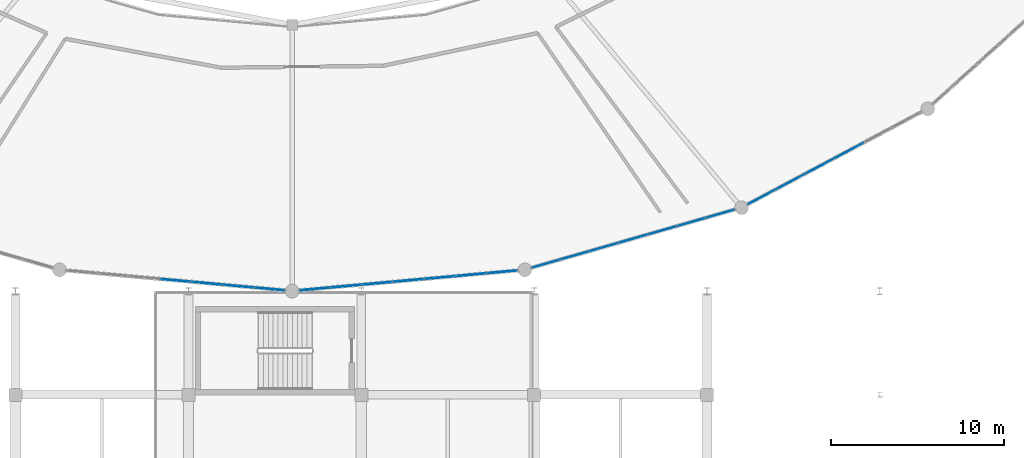
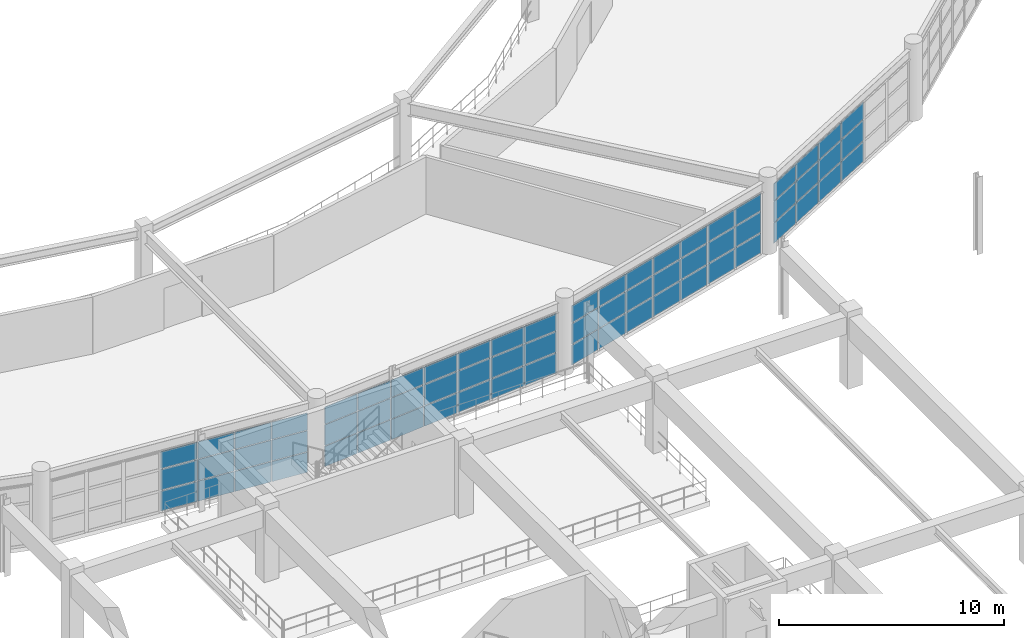
# One storey, part 63 of 100: 66 plates, 4 elements without a shape of their own.
"""IFC4 building model written with IfcOpenShell, lengths in metres."""

from ifc_helpers import new_model, si_unit, direction, frame, origin, origin_2d, place, context, subcontext, project, spatial, rectangle, extrude, material, layer, layer_set, type_object, element, aggregate, save


model = new_model("IFC4")

# Units and contexts
model_context = context("Model", 3, precision=1e-05, world=origin(), true_north=direction((0.0, 1.0)))
body_context = subcontext(model_context, "Body", "Model", "MODEL_VIEW")
ifc_project = project(units=[si_unit("LENGTHUNIT", "METRE"), si_unit("AREAUNIT", "SQUARE_METRE"), si_unit("VOLUMEUNIT", "CUBIC_METRE"), si_unit("PLANEANGLEUNIT", "RADIAN"), si_unit("MASSUNIT", "GRAM", prefix="KILO")], contexts=[model_context])

# Site, building, storey
site_placement = place(None, origin())
site = spatial("IfcSite", under=ifc_project, at=site_placement, CompositionType="ELEMENT")
building_placement = place(site_placement, origin())
building = spatial("IfcBuilding", under=site, at=building_placement, Name="Kivolera Central Railway Station", CompositionType="ELEMENT")
storey_placement = place(building_placement, frame((0.0, 0.0, 5.39990234375)))
storey = spatial("IfcBuildingStorey", under=building, at=storey_placement, Name="L01", CompositionType="ELEMENT", Elevation=5.39990234375)

# Curtain wall, plates
ifc_material_1 = material(Name="Anodised aluminium", Category="aluminium")
ifc_layer_1 = layer(ifc_material_1, 0.179931640625, Name="Anodised aluminium")
ifc_layer_set_1 = layer_set([ifc_layer_1], Name="Anodised aluminium")
curtain_wall_type_1 = type_object("IfcCurtainWallType", Name="CW-SYS-10", PredefinedType="NOTDEFINED", material=ifc_layer_set_1)
curtain_wall_1_placement = place(storey_placement, origin())
curtain_wall_1 = element("IfcCurtainWall", 1, at=curtain_wall_1_placement, inside=storey, type_object=curtain_wall_type_1, Name="L01 Curtain Wall CW-L01-OVL-19", PredefinedType="NOTDEFINED")
ifc_material_2 = material(Name="Double low-E laminated glass", Category="glass")
ifc_layer_2 = layer(ifc_material_2, 0.02587890625, Name="Double low-E laminated glass")
ifc_layer_set_2 = layer_set([ifc_layer_2], Name="Double low-E laminated glass")
plate_type_1 = type_object("IfcPlateType", Name="CWP-GLZ-1", PredefinedType="CURTAIN_PANEL", material=ifc_layer_set_2)
plate_1_placement = place(storey_placement, frame((88.75732421875, 58.467041015625, 0.05810546875), z_axis=(0.0, 0.0, 1.0), x_axis=(-0.961246112288, -0.275691696668, 0.0)))
plate_1 = element("IfcPlate", 2, at=plate_1_placement, type_object=plate_type_1, Name="CW-10 panel 1.1", PredefinedType="CURTAIN_PANEL", context=body_context, shape_type="SweptSolid", body=[
    extrude(rectangle(XDim=1.66845703125, YDim=0.02587890625, at=origin_2d()), origin(), (0.0, 0.0, 1.0), 1.087890625),
])
plate_2_placement = place(storey_placement, frame((88.75732421875, 58.467041015625, 1.192138671875), z_axis=(0.0, 0.0, 1.0), x_axis=(-0.961246112288, -0.275691696668, 0.0)))
plate_2 = element("IfcPlate", 3, at=plate_2_placement, type_object=plate_type_1, Name="CW-10 panel 1.2", PredefinedType="CURTAIN_PANEL", context=body_context, shape_type="SweptSolid", body=[
    extrude(rectangle(XDim=1.66845703125, YDim=0.02587890625, at=origin_2d()), origin(), (0.0, 0.0, 1.0), 1.123046875),
])
plate_3_placement = place(storey_placement, frame((88.75732421875, 58.467041015625, 2.361083984375), z_axis=(0.0, 0.0, 1.0), x_axis=(-0.961246112288, -0.275691696668, 0.0)))
plate_3 = element("IfcPlate", 4, at=plate_3_placement, type_object=plate_type_1, Name="CW-10 panel 1.3", PredefinedType="CURTAIN_PANEL", context=body_context, shape_type="SweptSolid", body=[
    extrude(rectangle(XDim=1.66845703125, YDim=0.02587890625, at=origin_2d()), origin(), (0.0, 0.0, 1.0), 0.9208984375),
])
plate_4_placement = place(storey_placement, frame((87.092529296875, 57.989501953125, 0.05810546875), z_axis=(0.0, 0.0, 1.0), x_axis=(-0.961246112288, -0.275691696668, 0.0)))
plate_4 = element("IfcPlate", 5, at=plate_4_placement, type_object=plate_type_1, Name="CW-10 panel 2.1", PredefinedType="CURTAIN_PANEL", context=body_context, shape_type="SweptSolid", body=[
    extrude(rectangle(XDim=1.703369140625, YDim=0.02587890625, at=origin_2d()), origin(), (0.0, 0.0, 1.0), 1.087890625),
])
plate_5_placement = place(storey_placement, frame((87.092529296875, 57.989501953125, 1.192138671875), z_axis=(0.0, 0.0, 1.0), x_axis=(-0.961246112288, -0.275691696668, 0.0)))
plate_5 = element("IfcPlate", 6, at=plate_5_placement, type_object=plate_type_1, Name="CW-10 panel 2.2", PredefinedType="CURTAIN_PANEL", context=body_context, shape_type="SweptSolid", body=[
    extrude(rectangle(XDim=1.703369140625, YDim=0.02587890625, at=origin_2d()), origin(), (0.0, 0.0, 1.0), 1.123046875),
])
plate_6_placement = place(storey_placement, frame((87.092529296875, 57.989501953125, 2.361083984375), z_axis=(0.0, 0.0, 1.0), x_axis=(-0.961246112288, -0.275691696668, 0.0)))
plate_6 = element("IfcPlate", 7, at=plate_6_placement, type_object=plate_type_1, Name="CW-10 panel 2.3", PredefinedType="CURTAIN_PANEL", context=body_context, shape_type="SweptSolid", body=[
    extrude(rectangle(XDim=1.703369140625, YDim=0.02587890625, at=origin_2d()), origin(), (0.0, 0.0, 1.0), 0.9208984375),
])
plate_7_placement = place(storey_placement, frame((85.4111328125, 57.50732421875, 0.05810546875), z_axis=(0.0, 0.0, 1.0), x_axis=(-0.961246112288, -0.275691696668, 0.0)))
plate_7 = element("IfcPlate", 8, at=plate_7_placement, type_object=plate_type_1, Name="CW-10 panel 3.1", PredefinedType="CURTAIN_PANEL", context=body_context, shape_type="SweptSolid", body=[
    extrude(rectangle(XDim=1.703369140625, YDim=0.02587890625, at=origin_2d()), origin(), (0.0, 0.0, 1.0), 1.087890625),
])
plate_8_placement = place(storey_placement, frame((85.4111328125, 57.50732421875, 1.192138671875), z_axis=(0.0, 0.0, 1.0), x_axis=(-0.961246112288, -0.275691696668, 0.0)))
plate_8 = element("IfcPlate", 9, at=plate_8_placement, type_object=plate_type_1, Name="CW-10 panel 3.2", PredefinedType="CURTAIN_PANEL", context=body_context, shape_type="SweptSolid", body=[
    extrude(rectangle(XDim=1.703369140625, YDim=0.02587890625, at=origin_2d()), origin(), (0.0, 0.0, 1.0), 1.123046875),
])
plate_9_placement = place(storey_placement, frame((85.4111328125, 57.50732421875, 2.361083984375), z_axis=(0.0, 0.0, 1.0), x_axis=(-0.961246112288, -0.275691696668, 0.0)))
plate_9 = element("IfcPlate", 10, at=plate_9_placement, type_object=plate_type_1, Name="CW-10 panel 3.3", PredefinedType="CURTAIN_PANEL", context=body_context, shape_type="SweptSolid", body=[
    extrude(rectangle(XDim=1.703369140625, YDim=0.02587890625, at=origin_2d()), origin(), (0.0, 0.0, 1.0), 0.9208984375),
])
plate_10_placement = place(storey_placement, frame((83.7294921875, 57.02490234375, 0.05810546875), z_axis=(0.0, 0.0, 1.0), x_axis=(-0.961246112288, -0.275691696668, 0.0)))
plate_10 = element("IfcPlate", 11, at=plate_10_placement, type_object=plate_type_1, Name="CW-10 panel 4.1", PredefinedType="CURTAIN_PANEL", context=body_context, shape_type="SweptSolid", body=[
    extrude(rectangle(XDim=1.703369140625, YDim=0.02587890625, at=origin_2d()), origin(), (0.0, 0.0, 1.0), 1.087890625),
])
plate_11_placement = place(storey_placement, frame((83.7294921875, 57.02490234375, 1.192138671875), z_axis=(0.0, 0.0, 1.0), x_axis=(-0.961246112288, -0.275691696668, 0.0)))
plate_11 = element("IfcPlate", 12, at=plate_11_placement, type_object=plate_type_1, Name="CW-10 panel 4.2", PredefinedType="CURTAIN_PANEL", context=body_context, shape_type="SweptSolid", body=[
    extrude(rectangle(XDim=1.703369140625, YDim=0.02587890625, at=origin_2d()), origin(), (0.0, 0.0, 1.0), 1.123046875),
])
plate_12_placement = place(storey_placement, frame((83.7294921875, 57.02490234375, 2.361083984375), z_axis=(0.0, 0.0, 1.0), x_axis=(-0.961246112288, -0.275691696668, 0.0)))
plate_12 = element("IfcPlate", 13, at=plate_12_placement, type_object=plate_type_1, Name="CW-10 panel 4.3", PredefinedType="CURTAIN_PANEL", context=body_context, shape_type="SweptSolid", body=[
    extrude(rectangle(XDim=1.703369140625, YDim=0.02587890625, at=origin_2d()), origin(), (0.0, 0.0, 1.0), 0.9208984375),
])
plate_13_placement = place(storey_placement, frame((82.0478515625, 56.542724609375, 0.05810546875), z_axis=(0.0, 0.0, 1.0), x_axis=(-0.961246112288, -0.275691696668, 0.0)))
plate_13 = element("IfcPlate", 14, at=plate_13_placement, type_object=plate_type_1, Name="CW-10 panel 5.1", PredefinedType="CURTAIN_PANEL", context=body_context, shape_type="SweptSolid", body=[
    extrude(rectangle(XDim=1.703369140625, YDim=0.02587890625, at=origin_2d()), origin(), (0.0, 0.0, 1.0), 1.087890625),
])
plate_14_placement = place(storey_placement, frame((82.0478515625, 56.542724609375, 1.192138671875), z_axis=(0.0, 0.0, 1.0), x_axis=(-0.961246112288, -0.275691696668, 0.0)))
plate_14 = element("IfcPlate", 15, at=plate_14_placement, type_object=plate_type_1, Name="CW-10 panel 5.2", PredefinedType="CURTAIN_PANEL", context=body_context, shape_type="SweptSolid", body=[
    extrude(rectangle(XDim=1.703369140625, YDim=0.02587890625, at=origin_2d()), origin(), (0.0, 0.0, 1.0), 1.123046875),
])
plate_15_placement = place(storey_placement, frame((82.0478515625, 56.542724609375, 2.361083984375), z_axis=(0.0, 0.0, 1.0), x_axis=(-0.961246112288, -0.275691696668, 0.0)))
plate_15 = element("IfcPlate", 16, at=plate_15_placement, type_object=plate_type_1, Name="CW-10 panel 5.3", PredefinedType="CURTAIN_PANEL", context=body_context, shape_type="SweptSolid", body=[
    extrude(rectangle(XDim=1.703369140625, YDim=0.02587890625, at=origin_2d()), origin(), (0.0, 0.0, 1.0), 0.9208984375),
])
plate_16_placement = place(storey_placement, frame((80.366455078125, 56.060546875, 0.05810546875), z_axis=(0.0, 0.0, 1.0), x_axis=(-0.961246112288, -0.275691696668, 0.0)))
plate_16 = element("IfcPlate", 17, at=plate_16_placement, type_object=plate_type_1, Name="CW-10 panel 6.1", PredefinedType="CURTAIN_PANEL", context=body_context, shape_type="SweptSolid", body=[
    extrude(rectangle(XDim=1.703369140625, YDim=0.02587890625, at=origin_2d()), origin(), (0.0, 0.0, 1.0), 1.087890625),
])
plate_17_placement = place(storey_placement, frame((80.366455078125, 56.060546875, 1.192138671875), z_axis=(0.0, 0.0, 1.0), x_axis=(-0.961246112288, -0.275691696668, 0.0)))
plate_17 = element("IfcPlate", 18, at=plate_17_placement, type_object=plate_type_1, Name="CW-10 panel 6.2", PredefinedType="CURTAIN_PANEL", context=body_context, shape_type="SweptSolid", body=[
    extrude(rectangle(XDim=1.703369140625, YDim=0.02587890625, at=origin_2d()), origin(), (0.0, 0.0, 1.0), 1.123046875),
])
plate_18_placement = place(storey_placement, frame((80.366455078125, 56.060546875, 2.361083984375), z_axis=(0.0, 0.0, 1.0), x_axis=(-0.961246112288, -0.275691696668, 0.0)))
plate_18 = element("IfcPlate", 19, at=plate_18_placement, type_object=plate_type_1, Name="CW-10 panel 6.3", PredefinedType="CURTAIN_PANEL", context=body_context, shape_type="SweptSolid", body=[
    extrude(rectangle(XDim=1.703369140625, YDim=0.02587890625, at=origin_2d()), origin(), (0.0, 0.0, 1.0), 0.9208984375),
])
plate_19_placement = place(storey_placement, frame((78.70166015625, 55.5830078125, 0.05810546875), z_axis=(0.0, 0.0, 1.0), x_axis=(-0.961246112288, -0.275691696668, 0.0)))
plate_19 = element("IfcPlate", 20, at=plate_19_placement, type_object=plate_type_1, Name="CW-10 panel 7.1", PredefinedType="CURTAIN_PANEL", context=body_context, shape_type="SweptSolid", body=[
    extrude(rectangle(XDim=1.66845703125, YDim=0.02587890625, at=origin_2d()), origin(), (0.0, 0.0, 1.0), 1.087890625),
])
plate_20_placement = place(storey_placement, frame((78.70166015625, 55.5830078125, 1.192138671875), z_axis=(0.0, 0.0, 1.0), x_axis=(-0.961246112288, -0.275691696668, 0.0)))
plate_20 = element("IfcPlate", 21, at=plate_20_placement, type_object=plate_type_1, Name="CW-10 panel 7.2", PredefinedType="CURTAIN_PANEL", context=body_context, shape_type="SweptSolid", body=[
    extrude(rectangle(XDim=1.66845703125, YDim=0.02587890625, at=origin_2d()), origin(), (0.0, 0.0, 1.0), 1.123046875),
])
plate_21_placement = place(storey_placement, frame((78.70166015625, 55.5830078125, 2.361083984375), z_axis=(0.0, 0.0, 1.0), x_axis=(-0.961246112288, -0.275691696668, 0.0)))
plate_21 = element("IfcPlate", 22, at=plate_21_placement, type_object=plate_type_1, Name="CW-10 panel 7.3", PredefinedType="CURTAIN_PANEL", context=body_context, shape_type="SweptSolid", body=[
    extrude(rectangle(XDim=1.66845703125, YDim=0.02587890625, at=origin_2d()), origin(), (0.0, 0.0, 1.0), 0.9208984375),
])
aggregate(curtain_wall_1, [plate_1, plate_2, plate_3, plate_4, plate_5, plate_6, plate_7, plate_8, plate_9, plate_10, plate_11, plate_12, plate_13, plate_14, plate_15, plate_16, plate_17, plate_18, plate_19, plate_20, plate_21])

ifc_layer_3 = layer(ifc_material_1, 0.179931640625, Name="Anodised aluminium")
ifc_layer_set_3 = layer_set([ifc_layer_3], Name="Anodised aluminium")
curtain_wall_type_2 = type_object("IfcCurtainWallType", Name="CW-SYS-08", PredefinedType="NOTDEFINED", material=ifc_layer_set_3)
curtain_wall_2_placement = place(storey_placement, origin())
curtain_wall_2 = element("IfcCurtainWall", 23, at=curtain_wall_2_placement, inside=storey, type_object=curtain_wall_type_2, Name="L01 Curtain Wall CW-L01-OVL-20", PredefinedType="NOTDEFINED")
ifc_layer_4 = layer(ifc_material_2, 0.030029296875, Name="Double low-E laminated glass")
ifc_layer_set_4 = layer_set([ifc_layer_4], Name="Double low-E laminated glass")
plate_type_2 = type_object("IfcPlateType", Name="CWP-GLZ-2", PredefinedType="CURTAIN_PANEL", material=ifc_layer_set_4)
plate_22_placement = place(storey_placement, frame((96.2236328125, 62.12890625, 0.05810546875), z_axis=(0.0, 0.0, 1.0), x_axis=(-0.883170250772, -0.46905256438, 0.0)))
plate_22 = element("IfcPlate", 24, at=plate_22_placement, type_object=plate_type_2, Name="CW-08 panel 3.1", PredefinedType="CURTAIN_PANEL", context=body_context, shape_type="SweptSolid", body=[
    extrude(rectangle(XDim=1.853271484375, YDim=0.030029296875, at=origin_2d()), origin(), (0.0, 0.0, 1.0), 1.087890625),
])
plate_23_placement = place(storey_placement, frame((96.2236328125, 62.12890625, 1.192138671875), z_axis=(0.0, 0.0, 1.0), x_axis=(-0.883170250772, -0.46905256438, 0.0)))
plate_23 = element("IfcPlate", 25, at=plate_23_placement, type_object=plate_type_2, Name="CW-08 panel 3.2", PredefinedType="CURTAIN_PANEL", context=body_context, shape_type="SweptSolid", body=[
    extrude(rectangle(XDim=1.853271484375, YDim=0.030029296875, at=origin_2d()), origin(), (0.0, 0.0, 1.0), 1.123046875),
])
plate_24_placement = place(storey_placement, frame((96.2236328125, 62.12890625, 2.361083984375), z_axis=(0.0, 0.0, 1.0), x_axis=(-0.883170250772, -0.46905256438, 0.0)))
plate_24 = element("IfcPlate", 26, at=plate_24_placement, type_object=plate_type_2, Name="CW-08 panel 3.3", PredefinedType="CURTAIN_PANEL", context=body_context, shape_type="SweptSolid", body=[
    extrude(rectangle(XDim=1.853271484375, YDim=0.030029296875, at=origin_2d()), origin(), (0.0, 0.0, 1.0), 0.9208984375),
])
plate_25_placement = place(storey_placement, frame((94.54638671875, 61.238037109375, 0.05810546875), z_axis=(0.0, 0.0, 1.0), x_axis=(-0.883170250772, -0.46905256438, 0.0)))
plate_25 = element("IfcPlate", 27, at=plate_25_placement, type_object=plate_type_2, Name="CW-08 panel 4.1", PredefinedType="CURTAIN_PANEL", context=body_context, shape_type="SweptSolid", body=[
    extrude(rectangle(XDim=1.853271484375, YDim=0.030029296875, at=origin_2d()), origin(), (0.0, 0.0, 1.0), 1.087890625),
])
plate_26_placement = place(storey_placement, frame((94.54638671875, 61.238037109375, 1.192138671875), z_axis=(0.0, 0.0, 1.0), x_axis=(-0.883170250772, -0.46905256438, 0.0)))
plate_26 = element("IfcPlate", 28, at=plate_26_placement, type_object=plate_type_2, Name="CW-08 panel 4.2", PredefinedType="CURTAIN_PANEL", context=body_context, shape_type="SweptSolid", body=[
    extrude(rectangle(XDim=1.853271484375, YDim=0.030029296875, at=origin_2d()), origin(), (0.0, 0.0, 1.0), 1.123046875),
])
plate_27_placement = place(storey_placement, frame((94.54638671875, 61.238037109375, 2.361083984375), z_axis=(0.0, 0.0, 1.0), x_axis=(-0.883170250772, -0.46905256438, 0.0)))
plate_27 = element("IfcPlate", 29, at=plate_27_placement, type_object=plate_type_2, Name="CW-08 panel 4.3", PredefinedType="CURTAIN_PANEL", context=body_context, shape_type="SweptSolid", body=[
    extrude(rectangle(XDim=1.853271484375, YDim=0.030029296875, at=origin_2d()), origin(), (0.0, 0.0, 1.0), 0.9208984375),
])
plate_28_placement = place(storey_placement, frame((92.868896484375, 60.34716796875, 0.05810546875), z_axis=(0.0, 0.0, 1.0), x_axis=(-0.883170250772, -0.46905256438, 0.0)))
plate_28 = element("IfcPlate", 30, at=plate_28_placement, type_object=plate_type_2, Name="CW-08 panel 5.1", PredefinedType="CURTAIN_PANEL", context=body_context, shape_type="SweptSolid", body=[
    extrude(rectangle(XDim=1.853271484375, YDim=0.030029296875, at=origin_2d()), origin(), (0.0, 0.0, 1.0), 1.087890625),
])
plate_29_placement = place(storey_placement, frame((92.868896484375, 60.34716796875, 1.192138671875), z_axis=(0.0, 0.0, 1.0), x_axis=(-0.883170250772, -0.46905256438, 0.0)))
plate_29 = element("IfcPlate", 31, at=plate_29_placement, type_object=plate_type_2, Name="CW-08 panel 5.2", PredefinedType="CURTAIN_PANEL", context=body_context, shape_type="SweptSolid", body=[
    extrude(rectangle(XDim=1.853271484375, YDim=0.030029296875, at=origin_2d()), origin(), (0.0, 0.0, 1.0), 1.123046875),
])
plate_30_placement = place(storey_placement, frame((92.868896484375, 60.34716796875, 2.361083984375), z_axis=(0.0, 0.0, 1.0), x_axis=(-0.883170250772, -0.46905256438, 0.0)))
plate_30 = element("IfcPlate", 32, at=plate_30_placement, type_object=plate_type_2, Name="CW-08 panel 5.3", PredefinedType="CURTAIN_PANEL", context=body_context, shape_type="SweptSolid", body=[
    extrude(rectangle(XDim=1.853271484375, YDim=0.030029296875, at=origin_2d()), origin(), (0.0, 0.0, 1.0), 0.9208984375),
])
plate_31_placement = place(storey_placement, frame((91.20703125, 59.464599609375, 0.05810546875), z_axis=(0.0, 0.0, 1.0), x_axis=(-0.883170250772, -0.46905256438, 0.0)))
plate_31 = element("IfcPlate", 33, at=plate_31_placement, type_object=plate_type_2, Name="CW-08 panel 6.1", PredefinedType="CURTAIN_PANEL", context=body_context, shape_type="SweptSolid", body=[
    extrude(rectangle(XDim=1.818115234375, YDim=0.030029296875, at=origin_2d()), origin(), (0.0, 0.0, 1.0), 1.087890625),
])
plate_32_placement = place(storey_placement, frame((91.20703125, 59.464599609375, 1.192138671875), z_axis=(0.0, 0.0, 1.0), x_axis=(-0.883170250772, -0.46905256438, 0.0)))
plate_32 = element("IfcPlate", 34, at=plate_32_placement, type_object=plate_type_2, Name="CW-08 panel 6.2", PredefinedType="CURTAIN_PANEL", context=body_context, shape_type="SweptSolid", body=[
    extrude(rectangle(XDim=1.818115234375, YDim=0.030029296875, at=origin_2d()), origin(), (0.0, 0.0, 1.0), 1.123046875),
])
plate_33_placement = place(storey_placement, frame((91.20703125, 59.464599609375, 2.361083984375), z_axis=(0.0, 0.0, 1.0), x_axis=(-0.883170250772, -0.46905256438, 0.0)))
plate_33 = element("IfcPlate", 35, at=plate_33_placement, type_object=plate_type_2, Name="CW-08 panel 6.3", PredefinedType="CURTAIN_PANEL", context=body_context, shape_type="SweptSolid", body=[
    extrude(rectangle(XDim=1.818115234375, YDim=0.030029296875, at=origin_2d()), origin(), (0.0, 0.0, 1.0), 0.9208984375),
])
aggregate(curtain_wall_2, [plate_22, plate_23, plate_24, plate_25, plate_26, plate_27, plate_28, plate_29, plate_30, plate_31, plate_32, plate_33])

ifc_layer_5 = layer(ifc_material_1, 0.179931640625, Name="Anodised aluminium")
ifc_layer_set_5 = layer_set([ifc_layer_5], Name="Anodised aluminium")
curtain_wall_type_3 = type_object("IfcCurtainWallType", Name="CW-SYS-12", PredefinedType="NOTDEFINED", material=ifc_layer_set_5)
curtain_wall_3_placement = place(storey_placement, origin())
curtain_wall_3 = element("IfcCurtainWall", 36, at=curtain_wall_3_placement, inside=storey, type_object=curtain_wall_type_3, Name="L01 Curtain Wall CW-L01-OVL-17", PredefinedType="NOTDEFINED")
ifc_layer_6 = layer(ifc_material_2, 0.033935546875, Name="Double low-E laminated glass")
ifc_layer_set_6 = layer_set([ifc_layer_6], Name="Double low-E laminated glass")
plate_type_3 = type_object("IfcPlateType", Name="CWP-GLZ-3", PredefinedType="CURTAIN_PANEL", material=ifc_layer_set_6)
plate_34_placement = place(storey_placement, frame((62.68017578125, 54.1201171875, 0.05810546875), z_axis=(0.0, 0.0, 1.0), x_axis=(-0.995866087555, 0.090833560193, 0.0)))
plate_34 = element("IfcPlate", 37, at=plate_34_placement, type_object=plate_type_3, Name="CW-12 panel 1.1", PredefinedType="CURTAIN_PANEL", context=body_context, shape_type="SweptSolid", body=[
    extrude(rectangle(XDim=1.735595703125, YDim=0.033935546875, at=origin_2d()), origin(), (0.0, 0.0, 1.0), 1.087890625),
])
plate_35_placement = place(storey_placement, frame((62.68017578125, 54.1201171875, 1.192138671875), z_axis=(0.0, 0.0, 1.0), x_axis=(-0.995866087555, 0.090833560193, 0.0)))
plate_35 = element("IfcPlate", 38, at=plate_35_placement, type_object=plate_type_3, Name="CW-12 panel 1.2", PredefinedType="CURTAIN_PANEL", context=body_context, shape_type="SweptSolid", body=[
    extrude(rectangle(XDim=1.735595703125, YDim=0.033935546875, at=origin_2d()), origin(), (0.0, 0.0, 1.0), 1.123046875),
])
plate_36_placement = place(storey_placement, frame((62.68017578125, 54.1201171875, 2.361083984375), z_axis=(0.0, 0.0, 1.0), x_axis=(-0.995866087555, 0.090833560193, 0.0)))
plate_36 = element("IfcPlate", 39, at=plate_36_placement, type_object=plate_type_3, Name="CW-12 panel 1.3", PredefinedType="CURTAIN_PANEL", context=body_context, shape_type="SweptSolid", body=[
    extrude(rectangle(XDim=1.735595703125, YDim=0.033935546875, at=origin_2d()), origin(), (0.0, 0.0, 1.0), 0.9208984375),
])
plate_37_placement = place(storey_placement, frame((60.888427734375, 54.283447265625, 0.05810546875), z_axis=(0.0, 0.0, 1.0), x_axis=(-0.995866087555, 0.090833560193, 0.0)))
plate_37 = element("IfcPlate", 40, at=plate_37_placement, type_object=plate_type_3, Name="CW-12 panel 2.1", PredefinedType="CURTAIN_PANEL", context=body_context, shape_type="SweptSolid", body=[
    extrude(rectangle(XDim=1.7705078125, YDim=0.033935546875, at=origin_2d()), origin(), (0.0, 0.0, 1.0), 1.087890625),
])
plate_38_placement = place(storey_placement, frame((60.888427734375, 54.283447265625, 1.192138671875), z_axis=(0.0, 0.0, 1.0), x_axis=(-0.995866087555, 0.090833560193, 0.0)))
plate_38 = element("IfcPlate", 41, at=plate_38_placement, type_object=plate_type_3, Name="CW-12 panel 2.2", PredefinedType="CURTAIN_PANEL", context=body_context, shape_type="SweptSolid", body=[
    extrude(rectangle(XDim=1.7705078125, YDim=0.033935546875, at=origin_2d()), origin(), (0.0, 0.0, 1.0), 1.123046875),
])
plate_39_placement = place(storey_placement, frame((60.888427734375, 54.283447265625, 2.361083984375), z_axis=(0.0, 0.0, 1.0), x_axis=(-0.995866087555, 0.090833560193, 0.0)))
plate_39 = element("IfcPlate", 42, at=plate_39_placement, type_object=plate_type_3, Name="CW-12 panel 2.3", PredefinedType="CURTAIN_PANEL", context=body_context, shape_type="SweptSolid", body=[
    extrude(rectangle(XDim=1.7705078125, YDim=0.033935546875, at=origin_2d()), origin(), (0.0, 0.0, 1.0), 0.9208984375),
])
plate_40_placement = place(storey_placement, frame((59.07958984375, 54.448486328125, 0.05810546875), z_axis=(0.0, 0.0, 1.0), x_axis=(-0.995866087555, 0.090833560193, 0.0)))
plate_40 = element("IfcPlate", 43, at=plate_40_placement, type_object=plate_type_3, Name="CW-12 panel 3.1", PredefinedType="CURTAIN_PANEL", context=body_context, shape_type="SweptSolid", body=[
    extrude(rectangle(XDim=1.7705078125, YDim=0.033935546875, at=origin_2d()), origin(), (0.0, 0.0, 1.0), 1.087890625),
])
plate_41_placement = place(storey_placement, frame((59.07958984375, 54.448486328125, 1.192138671875), z_axis=(0.0, 0.0, 1.0), x_axis=(-0.995866087555, 0.090833560193, 0.0)))
plate_41 = element("IfcPlate", 44, at=plate_41_placement, type_object=plate_type_3, Name="CW-12 panel 3.2", PredefinedType="CURTAIN_PANEL", context=body_context, shape_type="SweptSolid", body=[
    extrude(rectangle(XDim=1.7705078125, YDim=0.033935546875, at=origin_2d()), origin(), (0.0, 0.0, 1.0), 1.123046875),
])
plate_42_placement = place(storey_placement, frame((59.07958984375, 54.448486328125, 2.361083984375), z_axis=(0.0, 0.0, 1.0), x_axis=(-0.995866087555, 0.090833560193, 0.0)))
plate_42 = element("IfcPlate", 45, at=plate_42_placement, type_object=plate_type_3, Name="CW-12 panel 3.3", PredefinedType="CURTAIN_PANEL", context=body_context, shape_type="SweptSolid", body=[
    extrude(rectangle(XDim=1.7705078125, YDim=0.033935546875, at=origin_2d()), origin(), (0.0, 0.0, 1.0), 0.9208984375),
])
plate_43_placement = place(storey_placement, frame((57.2705078125, 54.613525390625, 0.05810546875), z_axis=(0.0, 0.0, 1.0), x_axis=(-0.995866087555, 0.090833560193, 0.0)))
plate_43 = element("IfcPlate", 46, at=plate_43_placement, type_object=plate_type_3, Name="CW-12 panel 4.1", PredefinedType="CURTAIN_PANEL", context=body_context, shape_type="SweptSolid", body=[
    extrude(rectangle(XDim=1.7705078125, YDim=0.033935546875, at=origin_2d()), origin(), (0.0, 0.0, 1.0), 1.087890625),
])
plate_44_placement = place(storey_placement, frame((57.2705078125, 54.613525390625, 1.192138671875), z_axis=(0.0, 0.0, 1.0), x_axis=(-0.995866087555, 0.090833560193, 0.0)))
plate_44 = element("IfcPlate", 47, at=plate_44_placement, type_object=plate_type_3, Name="CW-12 panel 4.2", PredefinedType="CURTAIN_PANEL", context=body_context, shape_type="SweptSolid", body=[
    extrude(rectangle(XDim=1.7705078125, YDim=0.033935546875, at=origin_2d()), origin(), (0.0, 0.0, 1.0), 1.123046875),
])
plate_45_placement = place(storey_placement, frame((57.2705078125, 54.613525390625, 2.361083984375), z_axis=(0.0, 0.0, 1.0), x_axis=(-0.995866087555, 0.090833560193, 0.0)))
plate_45 = element("IfcPlate", 48, at=plate_45_placement, type_object=plate_type_3, Name="CW-12 panel 4.3", PredefinedType="CURTAIN_PANEL", context=body_context, shape_type="SweptSolid", body=[
    extrude(rectangle(XDim=1.7705078125, YDim=0.033935546875, at=origin_2d()), origin(), (0.0, 0.0, 1.0), 0.9208984375),
])
aggregate(curtain_wall_3, [plate_34, plate_35, plate_36, plate_37, plate_38, plate_39, plate_40, plate_41, plate_42, plate_43, plate_44, plate_45])

curtain_wall_4_placement = place(storey_placement, origin())
curtain_wall_4 = element("IfcCurtainWall", 49, at=curtain_wall_4_placement, inside=storey, type_object=curtain_wall_type_3, Name="L01 Curtain Wall CW-L01-OVL-18", PredefinedType="NOTDEFINED")
ifc_layer_7 = layer(ifc_material_2, 0.0380859375, Name="Double low-E laminated glass")
ifc_layer_set_7 = layer_set([ifc_layer_7], Name="Double low-E laminated glass")
plate_type_4 = type_object("IfcPlateType", Name="CWP-GLZ-4", PredefinedType="CURTAIN_PANEL", material=ifc_layer_set_7)
plate_46_placement = place(storey_placement, frame((76.13916015625, 55.10693359375, 0.05810546875), z_axis=(0.0, 0.0, 1.0), x_axis=(-0.995866087555, -0.090833560193, 0.0)))
plate_46 = element("IfcPlate", 50, at=plate_46_placement, type_object=plate_type_4, Name="CW-12 panel 1.1", PredefinedType="CURTAIN_PANEL", context=body_context, shape_type="SweptSolid", body=[
    extrude(rectangle(XDim=1.735595703125, YDim=0.0380859375, at=origin_2d()), origin(), (0.0, 0.0, 1.0), 1.087890625),
])
plate_47_placement = place(storey_placement, frame((76.13916015625, 55.10693359375, 1.192138671875), z_axis=(0.0, 0.0, 1.0), x_axis=(-0.995866087555, -0.090833560193, 0.0)))
plate_47 = element("IfcPlate", 51, at=plate_47_placement, type_object=plate_type_4, Name="CW-12 panel 1.2", PredefinedType="CURTAIN_PANEL", context=body_context, shape_type="SweptSolid", body=[
    extrude(rectangle(XDim=1.735595703125, YDim=0.0380859375, at=origin_2d()), origin(), (0.0, 0.0, 1.0), 1.123046875),
])
plate_48_placement = place(storey_placement, frame((76.13916015625, 55.10693359375, 2.361083984375), z_axis=(0.0, 0.0, 1.0), x_axis=(-0.995866087555, -0.090833560193, 0.0)))
plate_48 = element("IfcPlate", 52, at=plate_48_placement, type_object=plate_type_4, Name="CW-12 panel 1.3", PredefinedType="CURTAIN_PANEL", context=body_context, shape_type="SweptSolid", body=[
    extrude(rectangle(XDim=1.735595703125, YDim=0.0380859375, at=origin_2d()), origin(), (0.0, 0.0, 1.0), 0.9208984375),
])
plate_49_placement = place(storey_placement, frame((74.347412109375, 54.943603515625, 0.05810546875), z_axis=(0.0, 0.0, 1.0), x_axis=(-0.995866087555, -0.090833560193, 0.0)))
plate_49 = element("IfcPlate", 53, at=plate_49_placement, type_object=plate_type_4, Name="CW-12 panel 2.1", PredefinedType="CURTAIN_PANEL", context=body_context, shape_type="SweptSolid", body=[
    extrude(rectangle(XDim=1.7705078125, YDim=0.0380859375, at=origin_2d()), origin(), (0.0, 0.0, 1.0), 1.087890625),
])
plate_50_placement = place(storey_placement, frame((74.347412109375, 54.943603515625, 1.192138671875), z_axis=(0.0, 0.0, 1.0), x_axis=(-0.995866087555, -0.090833560193, 0.0)))
plate_50 = element("IfcPlate", 54, at=plate_50_placement, type_object=plate_type_4, Name="CW-12 panel 2.2", PredefinedType="CURTAIN_PANEL", context=body_context, shape_type="SweptSolid", body=[
    extrude(rectangle(XDim=1.7705078125, YDim=0.0380859375, at=origin_2d()), origin(), (0.0, 0.0, 1.0), 1.123046875),
])
plate_51_placement = place(storey_placement, frame((74.347412109375, 54.943603515625, 2.361083984375), z_axis=(0.0, 0.0, 1.0), x_axis=(-0.995866087555, -0.090833560193, 0.0)))
plate_51 = element("IfcPlate", 55, at=plate_51_placement, type_object=plate_type_4, Name="CW-12 panel 2.3", PredefinedType="CURTAIN_PANEL", context=body_context, shape_type="SweptSolid", body=[
    extrude(rectangle(XDim=1.7705078125, YDim=0.0380859375, at=origin_2d()), origin(), (0.0, 0.0, 1.0), 0.9208984375),
])
plate_52_placement = place(storey_placement, frame((72.53857421875, 54.778564453125, 0.05810546875), z_axis=(0.0, 0.0, 1.0), x_axis=(-0.995866087555, -0.090833560193, 0.0)))
plate_52 = element("IfcPlate", 56, at=plate_52_placement, type_object=plate_type_4, Name="CW-12 panel 3.1", PredefinedType="CURTAIN_PANEL", context=body_context, shape_type="SweptSolid", body=[
    extrude(rectangle(XDim=1.7705078125, YDim=0.0380859375, at=origin_2d()), origin(), (0.0, 0.0, 1.0), 1.087890625),
])
plate_53_placement = place(storey_placement, frame((72.53857421875, 54.778564453125, 1.192138671875), z_axis=(0.0, 0.0, 1.0), x_axis=(-0.995866087555, -0.090833560193, 0.0)))
plate_53 = element("IfcPlate", 57, at=plate_53_placement, type_object=plate_type_4, Name="CW-12 panel 3.2", PredefinedType="CURTAIN_PANEL", context=body_context, shape_type="SweptSolid", body=[
    extrude(rectangle(XDim=1.7705078125, YDim=0.0380859375, at=origin_2d()), origin(), (0.0, 0.0, 1.0), 1.123046875),
])
plate_54_placement = place(storey_placement, frame((72.53857421875, 54.778564453125, 2.361083984375), z_axis=(0.0, 0.0, 1.0), x_axis=(-0.995866087555, -0.090833560193, 0.0)))
plate_54 = element("IfcPlate", 58, at=plate_54_placement, type_object=plate_type_4, Name="CW-12 panel 3.3", PredefinedType="CURTAIN_PANEL", context=body_context, shape_type="SweptSolid", body=[
    extrude(rectangle(XDim=1.7705078125, YDim=0.0380859375, at=origin_2d()), origin(), (0.0, 0.0, 1.0), 0.9208984375),
])
plate_55_placement = place(storey_placement, frame((70.7294921875, 54.613525390625, 0.05810546875), z_axis=(0.0, 0.0, 1.0), x_axis=(-0.995866087555, -0.090833560193, 0.0)))
plate_55 = element("IfcPlate", 59, at=plate_55_placement, type_object=plate_type_4, Name="CW-12 panel 4.1", PredefinedType="CURTAIN_PANEL", context=body_context, shape_type="SweptSolid", body=[
    extrude(rectangle(XDim=1.7705078125, YDim=0.0380859375, at=origin_2d()), origin(), (0.0, 0.0, 1.0), 1.087890625),
])
plate_56_placement = place(storey_placement, frame((70.7294921875, 54.613525390625, 1.192138671875), z_axis=(0.0, 0.0, 1.0), x_axis=(-0.995866087555, -0.090833560193, 0.0)))
plate_56 = element("IfcPlate", 60, at=plate_56_placement, type_object=plate_type_4, Name="CW-12 panel 4.2", PredefinedType="CURTAIN_PANEL", context=body_context, shape_type="SweptSolid", body=[
    extrude(rectangle(XDim=1.7705078125, YDim=0.0380859375, at=origin_2d()), origin(), (0.0, 0.0, 1.0), 1.123046875),
])
plate_57_placement = place(storey_placement, frame((70.7294921875, 54.613525390625, 2.361083984375), z_axis=(0.0, 0.0, 1.0), x_axis=(-0.995866087555, -0.090833560193, 0.0)))
plate_57 = element("IfcPlate", 61, at=plate_57_placement, type_object=plate_type_4, Name="CW-12 panel 4.3", PredefinedType="CURTAIN_PANEL", context=body_context, shape_type="SweptSolid", body=[
    extrude(rectangle(XDim=1.7705078125, YDim=0.0380859375, at=origin_2d()), origin(), (0.0, 0.0, 1.0), 0.9208984375),
])
plate_58_placement = place(storey_placement, frame((68.92041015625, 54.448486328125, 0.05810546875), z_axis=(0.0, 0.0, 1.0), x_axis=(-0.995866087555, -0.090833560193, 0.0)))
plate_58 = element("IfcPlate", 62, at=plate_58_placement, type_object=plate_type_4, Name="CW-12 panel 5.1", PredefinedType="CURTAIN_PANEL", context=body_context, shape_type="SweptSolid", body=[
    extrude(rectangle(XDim=1.7705078125, YDim=0.0380859375, at=origin_2d()), origin(), (0.0, 0.0, 1.0), 1.087890625),
])
plate_59_placement = place(storey_placement, frame((68.92041015625, 54.448486328125, 1.192138671875), z_axis=(0.0, 0.0, 1.0), x_axis=(-0.995866087555, -0.090833560193, 0.0)))
plate_59 = element("IfcPlate", 63, at=plate_59_placement, type_object=plate_type_4, Name="CW-12 panel 5.2", PredefinedType="CURTAIN_PANEL", context=body_context, shape_type="SweptSolid", body=[
    extrude(rectangle(XDim=1.7705078125, YDim=0.0380859375, at=origin_2d()), origin(), (0.0, 0.0, 1.0), 1.123046875),
])
plate_60_placement = place(storey_placement, frame((68.92041015625, 54.448486328125, 2.361083984375), z_axis=(0.0, 0.0, 1.0), x_axis=(-0.995866087555, -0.090833560193, 0.0)))
plate_60 = element("IfcPlate", 64, at=plate_60_placement, type_object=plate_type_4, Name="CW-12 panel 5.3", PredefinedType="CURTAIN_PANEL", context=body_context, shape_type="SweptSolid", body=[
    extrude(rectangle(XDim=1.7705078125, YDim=0.0380859375, at=origin_2d()), origin(), (0.0, 0.0, 1.0), 0.9208984375),
])
plate_61_placement = place(storey_placement, frame((67.111572265625, 54.283447265625, 0.05810546875), z_axis=(0.0, 0.0, 1.0), x_axis=(-0.995866087555, -0.090833560193, 0.0)))
plate_61 = element("IfcPlate", 65, at=plate_61_placement, type_object=plate_type_4, Name="CW-12 panel 6.1", PredefinedType="CURTAIN_PANEL", context=body_context, shape_type="SweptSolid", body=[
    extrude(rectangle(XDim=1.7705078125, YDim=0.0380859375, at=origin_2d()), origin(), (0.0, 0.0, 1.0), 1.087890625),
])
plate_62_placement = place(storey_placement, frame((67.111572265625, 54.283447265625, 1.192138671875), z_axis=(0.0, 0.0, 1.0), x_axis=(-0.995866087555, -0.090833560193, 0.0)))
plate_62 = element("IfcPlate", 66, at=plate_62_placement, type_object=plate_type_4, Name="CW-12 panel 6.2", PredefinedType="CURTAIN_PANEL", context=body_context, shape_type="SweptSolid", body=[
    extrude(rectangle(XDim=1.7705078125, YDim=0.0380859375, at=origin_2d()), origin(), (0.0, 0.0, 1.0), 1.123046875),
])
plate_63_placement = place(storey_placement, frame((67.111572265625, 54.283447265625, 2.361083984375), z_axis=(0.0, 0.0, 1.0), x_axis=(-0.995866087555, -0.090833560193, 0.0)))
plate_63 = element("IfcPlate", 67, at=plate_63_placement, type_object=plate_type_4, Name="CW-12 panel 6.3", PredefinedType="CURTAIN_PANEL", context=body_context, shape_type="SweptSolid", body=[
    extrude(rectangle(XDim=1.7705078125, YDim=0.0380859375, at=origin_2d()), origin(), (0.0, 0.0, 1.0), 0.9208984375),
])
plate_64_placement = place(storey_placement, frame((65.31982421875, 54.1201171875, 0.05810546875), z_axis=(0.0, 0.0, 1.0), x_axis=(-0.995866087555, -0.090833560193, 0.0)))
plate_64 = element("IfcPlate", 68, at=plate_64_placement, type_object=plate_type_4, Name="CW-12 panel 7.1", PredefinedType="CURTAIN_PANEL", context=body_context, shape_type="SweptSolid", body=[
    extrude(rectangle(XDim=1.735595703125, YDim=0.0380859375, at=origin_2d()), origin(), (0.0, 0.0, 1.0), 1.087890625),
])
plate_65_placement = place(storey_placement, frame((65.31982421875, 54.1201171875, 1.192138671875), z_axis=(0.0, 0.0, 1.0), x_axis=(-0.995866087555, -0.090833560193, 0.0)))
plate_65 = element("IfcPlate", 69, at=plate_65_placement, type_object=plate_type_4, Name="CW-12 panel 7.2", PredefinedType="CURTAIN_PANEL", context=body_context, shape_type="SweptSolid", body=[
    extrude(rectangle(XDim=1.735595703125, YDim=0.0380859375, at=origin_2d()), origin(), (0.0, 0.0, 1.0), 1.123046875),
])
plate_66_placement = place(storey_placement, frame((65.31982421875, 54.1201171875, 2.361083984375), z_axis=(0.0, 0.0, 1.0), x_axis=(-0.995866087555, -0.090833560193, 0.0)))
plate_66 = element("IfcPlate", 70, at=plate_66_placement, type_object=plate_type_4, Name="CW-12 panel 7.3", PredefinedType="CURTAIN_PANEL", context=body_context, shape_type="SweptSolid", body=[
    extrude(rectangle(XDim=1.735595703125, YDim=0.0380859375, at=origin_2d()), origin(), (0.0, 0.0, 1.0), 0.9208984375),
])
aggregate(curtain_wall_4, [plate_46, plate_47, plate_48, plate_49, plate_50, plate_51, plate_52, plate_53, plate_54, plate_55, plate_56, plate_57, plate_58, plate_59, plate_60, plate_61, plate_62, plate_63, plate_64, plate_65, plate_66])

save(model, "model.ifc")
